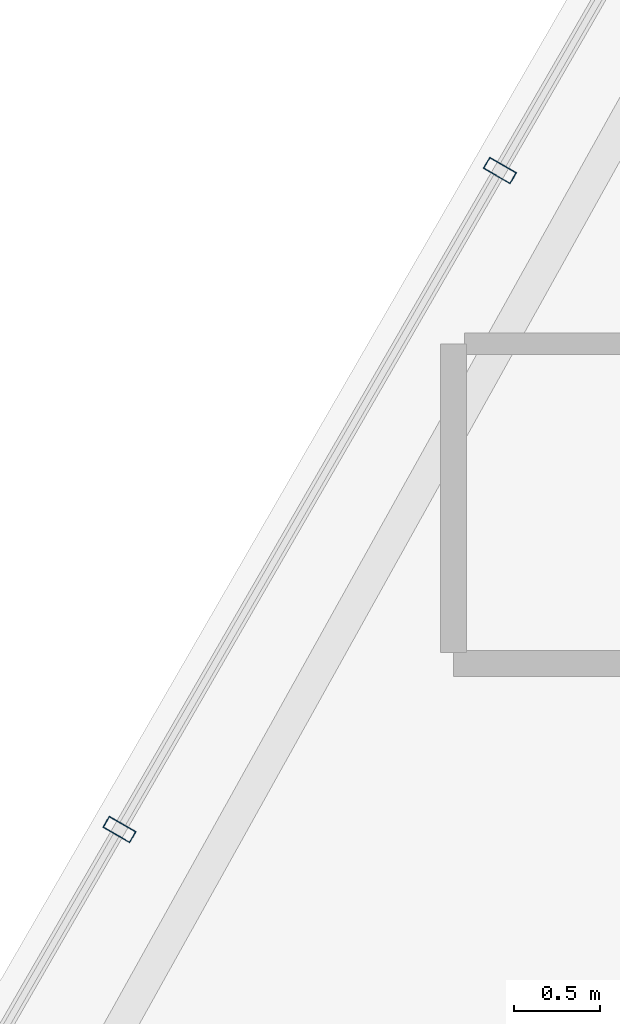
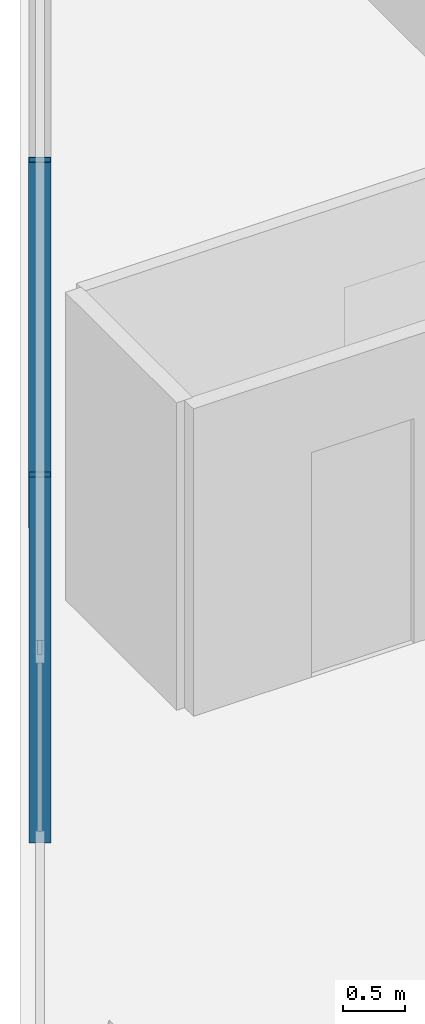
# One storey, part 5 of 32: 2 members, 1 element without a shape of its own.
"""IFC4 building model written with IfcOpenShell, lengths in metres."""

from ifc_helpers import new_model, si_unit, direction, frame, origin, origin_2d, place, context, subcontext, project, spatial, hollow_rectangle, extrude, material, layer, layer_set, material_profile, profile_set, type_object, element, aggregate, save


model = new_model("IFC4")

# Units and contexts
model_context = context("Model", 3, precision=1e-05, world=origin(), true_north=direction((0.0, 1.0)))
body_context = subcontext(model_context, "Body", "Model", "MODEL_VIEW")
ifc_project = project(units=[si_unit("LENGTHUNIT", "METRE"), si_unit("AREAUNIT", "SQUARE_METRE"), si_unit("VOLUMEUNIT", "CUBIC_METRE"), si_unit("PLANEANGLEUNIT", "RADIAN"), si_unit("MASSUNIT", "GRAM", prefix="KILO")], contexts=[model_context])

# Site, building, storey
site_placement = place(None, origin())
site = spatial("IfcSite", under=ifc_project, at=site_placement, CompositionType="ELEMENT")
building_placement = place(site_placement, origin())
building = spatial("IfcBuilding", under=site, at=building_placement, Name="Ndaravel Arena Tower", CompositionType="ELEMENT")
storey_placement = place(building_placement, frame((0.0, 0.0, 256.0)))
storey = spatial("IfcBuildingStorey", under=building, at=storey_placement, Name="L62", CompositionType="ELEMENT", Elevation=256.0)

# Curtain wall, members
ifc_material_1 = material(Name="Aluminium", Category="aluminium")
ifc_layer = layer(ifc_material_1, 0.179931640625)
ifc_layer_set = layer_set([ifc_layer], Name="Aluminium")
curtain_wall_type = type_object("IfcCurtainWallType", Name="CW-SYS-03", PredefinedType="NOTDEFINED", material=ifc_layer_set)
curtain_wall_placement = place(storey_placement, origin())
curtain_wall = element("IfcCurtainWall", 1, at=curtain_wall_placement, inside=storey, type_object=curtain_wall_type, Name="L62 Faceted Crystal Curtain Wall CW-L62-E05", PredefinedType="NOTDEFINED")
ifc_material_2 = material(Name="Aluminium", Category="aluminium")
ifc_material_profile = material_profile(ifc_material_2, hollow_rectangle(XDim=0.074951171875, YDim=0.179931640625, WallThickness=0.00390625, at=origin_2d()), Name="CW MULLION 75x180x4")
ifc_profile_set = profile_set([ifc_material_profile], Name="Aluminium")
member_type = type_object("IfcMemberType", Name="MEM-CW-MUL180", PredefinedType="MULLION", material=ifc_profile_set)
member_1_placement = place(storey_placement, frame((23.583984375, 18.001953125, 0.0), z_axis=(0.0, 0.0, 1.0), x_axis=(-0.5, -0.866025403784, 0.0)))
member_1 = element("IfcMember", 2, at=member_1_placement, type_object=member_type, Name="CW-L62-E05 Mullion 07", PredefinedType="MULLION", context=body_context, shape_type="SweptSolid", body=[
    extrude(hollow_rectangle(XDim=0.074951171875, YDim=0.179931640625, WallThickness=0.00390625, at=origin_2d()), origin(), (0.0, 0.0, 1.0), 3.580078125),
])
member_2_placement = place(storey_placement, frame((21.3837890625, 14.19091796875, 0.0), z_axis=(0.0, 0.0, 1.0), x_axis=(-0.5, -0.866025403784, 0.0)))
member_2 = element("IfcMember", 3, at=member_2_placement, type_object=member_type, Name="CW-L62-E05 Mullion 08", PredefinedType="MULLION", context=body_context, shape_type="SweptSolid", body=[
    extrude(hollow_rectangle(XDim=0.074951171875, YDim=0.179931640625, WallThickness=0.00390625, at=origin_2d()), origin(), (0.0, 0.0, 1.0), 3.580078125),
])
aggregate(curtain_wall, [member_1, member_2])

save(model, "model.ifc")
